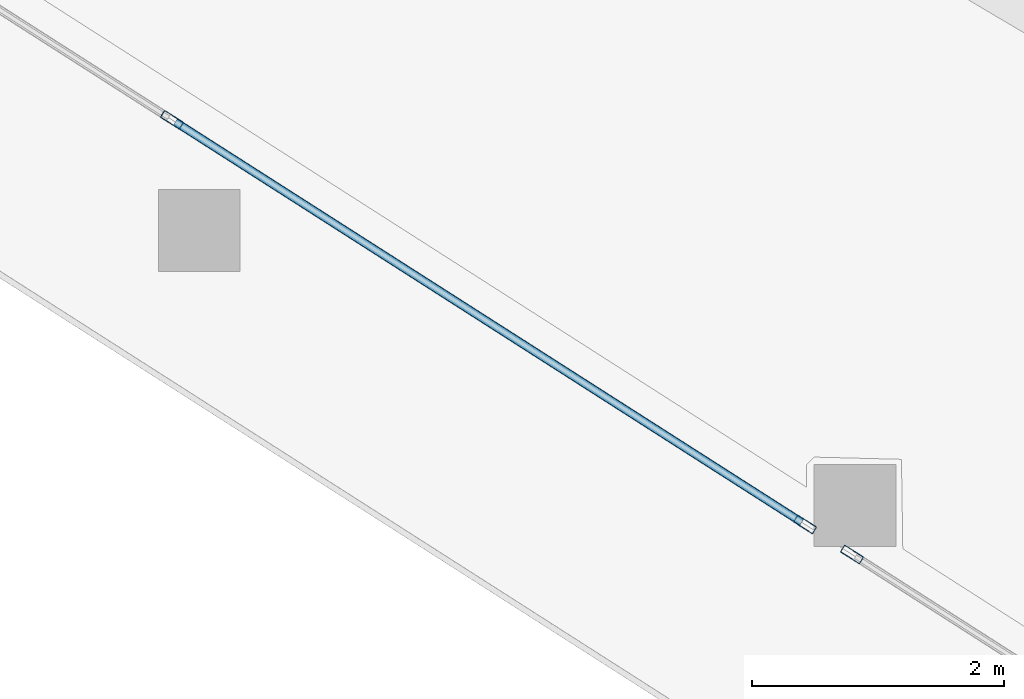
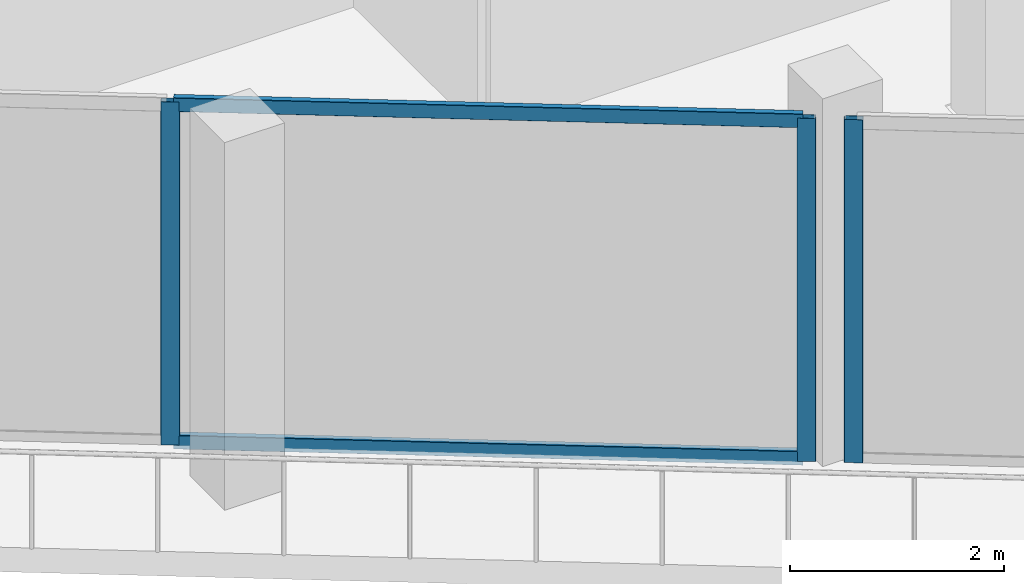
# One storey, part 5 of 42: 5 members, 2 elements without a shape of their own.
"""IFC4 building model written with IfcOpenShell, lengths in metres."""

from ifc_helpers import new_model, si_unit, direction, frame, origin, origin_2d, place, context, subcontext, project, spatial, hollow_rectangle, extrude, material, layer, layer_set, material_profile, profile_set, type_object, element, aggregate, save


model = new_model("IFC4")

# Units and contexts
model_context = context("Model", 3, precision=1e-05, world=origin(), true_north=direction((0.0, 1.0)))
body_context = subcontext(model_context, "Body", "Model", "MODEL_VIEW")
ifc_project = project(units=[si_unit("LENGTHUNIT", "METRE"), si_unit("AREAUNIT", "SQUARE_METRE"), si_unit("VOLUMEUNIT", "CUBIC_METRE"), si_unit("PLANEANGLEUNIT", "RADIAN"), si_unit("MASSUNIT", "GRAM", prefix="KILO")], contexts=[model_context])

# Site, building, storey
site_placement = place(None, origin())
site = spatial("IfcSite", under=ifc_project, at=site_placement, CompositionType="ELEMENT")
building_placement = place(site_placement, origin())
building = spatial("IfcBuilding", under=site, at=building_placement, Name="Qorvath Tower", CompositionType="ELEMENT")
storey_placement = place(building_placement, frame((0.0, 0.0, 32.39990234375)))
storey = spatial("IfcBuildingStorey", under=building, at=storey_placement, Name="L06", CompositionType="ELEMENT", Elevation=32.39990234375)

# Curtain wall, members
ifc_material_1 = material(Name="Anodised aluminium and triple low-E glass", Category="aluminium")
ifc_layer = layer(ifc_material_1, 0.179931640625)
ifc_layer_set = layer_set([ifc_layer], Name="CW-SYS-2")
curtain_wall_type = type_object("IfcCurtainWallType", Name="CW-SYS-2", PredefinedType="NOTDEFINED", material=ifc_layer_set)
curtain_wall_1_placement = place(storey_placement, origin())
curtain_wall_1 = element("IfcCurtainWall", 1, at=curtain_wall_1_placement, inside=storey, type_object=curtain_wall_type, Name="Curtain Wall CW-2 CW-T-L06-2.1", PredefinedType="NOTDEFINED")
ifc_material_2 = material(Name="Anodised aluminium 6063-T6", Category="aluminium")
ifc_material_profile_1 = material_profile(ifc_material_2, hollow_rectangle(XDim=0.06494140625, YDim=0.179931640625, WallThickness=0.00341796875, InnerFilletRadius=0.00341796875, OuterFilletRadius=0.007080078125, at=origin_2d()), Name="CWM 180x65")
ifc_profile_set_1 = profile_set([ifc_material_profile_1], Name="Anodised aluminium 6063-T6")
member_type_1 = type_object("IfcMemberType", Name="CWM-180", PredefinedType="MULLION", material=ifc_profile_set_1)
member_1_placement = place(storey_placement, frame((-45.75244140625, -13.89501953125, 0.0), z_axis=(0.0, 0.0, 1.0), x_axis=(0.538528741164, 0.84260714152, 0.0)))
member_1 = element("IfcMember", 2, at=member_1_placement, type_object=member_type_1, Name="CW-2 mullion 4", PredefinedType="MULLION", context=body_context, shape_type="SweptSolid", body=[
    extrude(hollow_rectangle(XDim=0.06494140625, YDim=0.179931640625, WallThickness=0.00341796875, InnerFilletRadius=0.00341796875, OuterFilletRadius=0.007080078125, at=origin_2d()), origin(), (0.0, 0.0, 1.0), 3.920166015625),
])
member_2_placement = place(storey_placement, frame((-40.729736328125, -17.10498046875, 0.0), z_axis=(0.0, 0.0, 1.0), x_axis=(0.538528741164, 0.84260714152, 0.0)))
member_2 = element("IfcMember", 3, at=member_2_placement, type_object=member_type_1, Name="CW-2 mullion 5", PredefinedType="MULLION", context=body_context, shape_type="SweptSolid", body=[
    extrude(hollow_rectangle(XDim=0.06494140625, YDim=0.179931640625, WallThickness=0.00341796875, InnerFilletRadius=0.00341796875, OuterFilletRadius=0.007080078125, at=origin_2d()), origin(), (0.0, 0.0, 1.0), 3.920166015625),
])

# Curtain wall, member
curtain_wall_2_placement = place(storey_placement, origin())
curtain_wall_2 = element("IfcCurtainWall", 4, at=curtain_wall_2_placement, inside=storey, type_object=curtain_wall_type, Name="Curtain Wall CW-2 CW-T-L06-2.2", PredefinedType="NOTDEFINED")
member_3_placement = place(storey_placement, frame((-40.357421875, -17.34326171875, 0.0), z_axis=(0.0, 0.0, 1.0), x_axis=(0.538532593363, 0.842604679483, 0.0)))
member_3 = element("IfcMember", 5, at=member_3_placement, type_object=member_type_1, Name="CW-2 mullion 1", PredefinedType="MULLION", context=body_context, shape_type="SweptSolid", body=[
    extrude(hollow_rectangle(XDim=0.06494140625, YDim=0.179931640625, WallThickness=0.00341796875, InnerFilletRadius=0.00341796875, OuterFilletRadius=0.007080078125, at=origin_2d()), origin(), (0.0, 0.0, 1.0), 3.920166015625),
])
aggregate(curtain_wall_2, [member_3])

# Member
ifc_material_3 = material(Name="Anodised aluminium 6063-T6", Category="aluminium")
ifc_material_profile_2 = material_profile(ifc_material_3, hollow_rectangle(XDim=0.06494140625, YDim=0.159912109375, WallThickness=0.00341796875, InnerFilletRadius=0.00341796875, OuterFilletRadius=0.007080078125, at=origin_2d()), Name="CWT 160x65")
ifc_profile_set_2 = profile_set([ifc_material_profile_2], Name="Anodised aluminium 6063-T6")
member_type_2 = type_object("IfcMemberType", Name="CWT-160", PredefinedType="USERDEFINED", material=ifc_profile_set_2)
member_4_placement = place(storey_placement, frame((-45.72509765625, -13.91259765625, 0.032470703125), z_axis=(0.84261640637, -0.538514244673, 0.0), x_axis=(0.538514244673, 0.84261640637, 0.0)))
member_4 = element("IfcMember", 6, at=member_4_placement, type_object=member_type_2, Name="CW-2 transom 4.1", ObjectType="TRANSOM", PredefinedType="USERDEFINED", context=body_context, shape_type="SweptSolid", body=[
    extrude(hollow_rectangle(XDim=0.06494140625, YDim=0.159912109375, WallThickness=0.00341796875, InnerFilletRadius=0.00341796875, OuterFilletRadius=0.007080078125, at=origin_2d()), origin(), (0.0, 0.0, 1.0), 5.89599609375),
])

member_5_placement = place(storey_placement, frame((-45.72509765625, -13.91259765625, 3.8876953125), z_axis=(0.84261640637, -0.538514244673, 0.0), x_axis=(0.538514244673, 0.84261640637, 0.0)))
member_5 = element("IfcMember", 7, at=member_5_placement, type_object=member_type_2, Name="CW-2 transom 4.2", ObjectType="TRANSOM", PredefinedType="USERDEFINED", context=body_context, shape_type="SweptSolid", body=[
    extrude(hollow_rectangle(XDim=0.06494140625, YDim=0.159912109375, WallThickness=0.00341796875, InnerFilletRadius=0.00341796875, OuterFilletRadius=0.007080078125, at=origin_2d()), origin(), (0.0, 0.0, 1.0), 5.89599609375),
])

aggregate(curtain_wall_1, [member_1, member_2, member_4, member_5])

save(model, "model.ifc")
